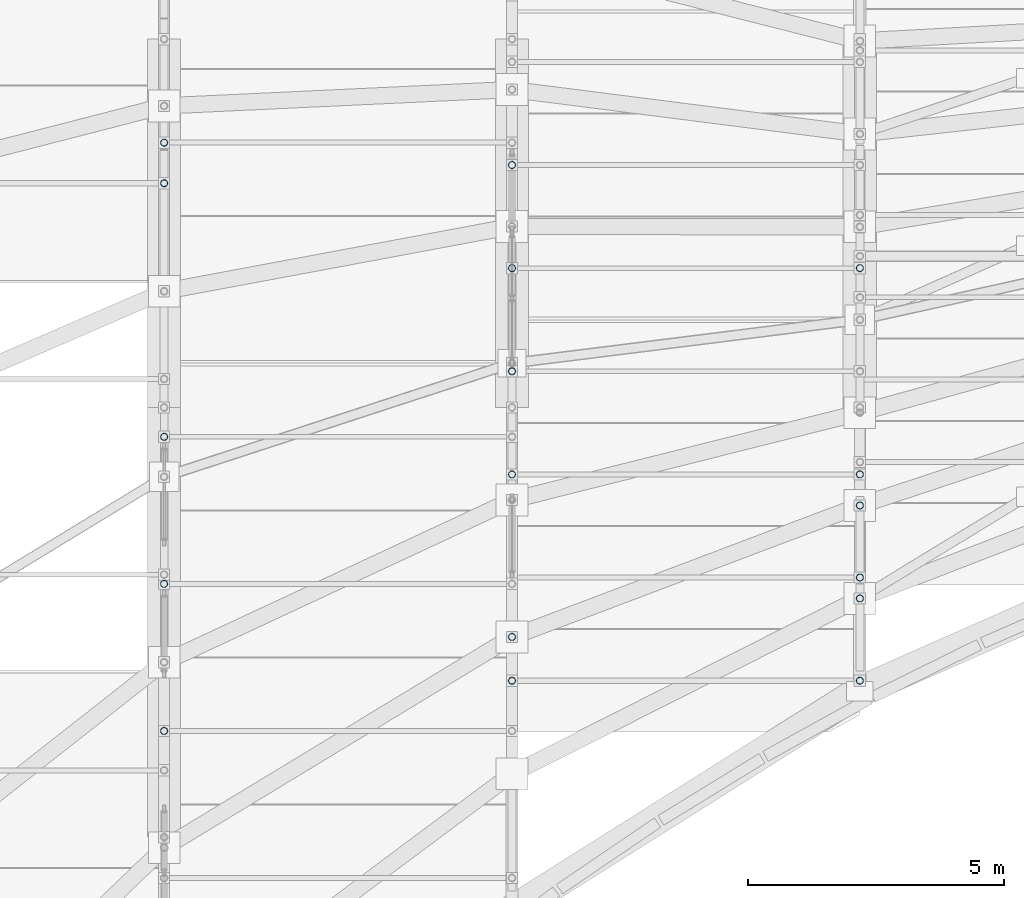
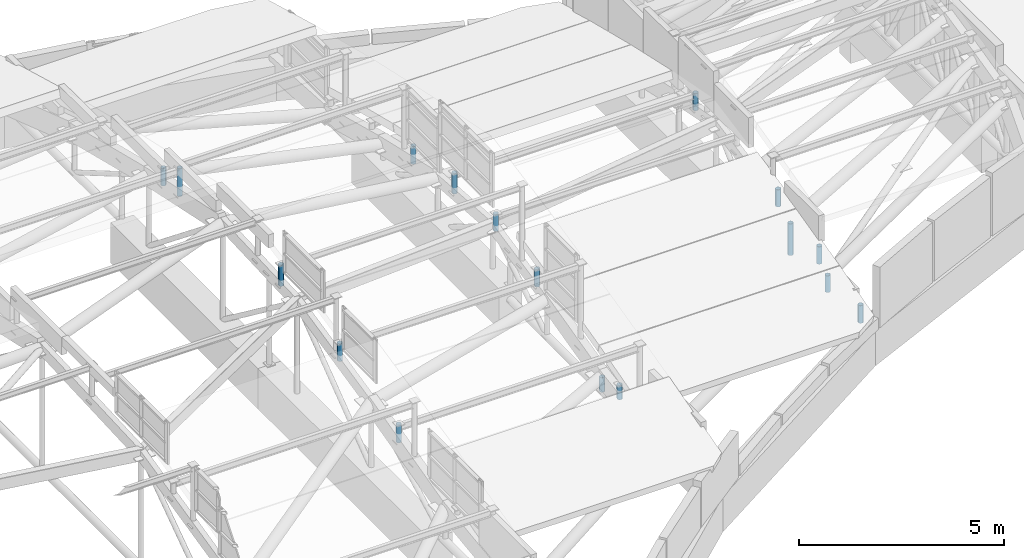
# One storey, part 149 of 188: 17 members.
"""IFC4 building model written with IfcOpenShell, lengths in metres."""

import ifcopenshell
import ifcopenshell.guid

model = None  # the IFC model being written
_history = None  # IfcOwnerHistory: only IFC2X3 demands one
_inside = {}  # id of a spatial element -> (the spatial element, [elements in it])
_under = {}  # id of a project, library or spatial element -> (it, [spatial elements below it])
_declared = {}  # id of a project -> (the project, [libraries it declares])
_typed = {}  # id of a type object -> (the type object, [elements of that type])
_made_of = {}  # id of a material, layer set ... -> (it, [elements and type objects made of it])


def new_model(schema):
    """Start an empty IFC model of exactly this schema.

    Asked for "IFC4X3", IfcOpenShell would pick the latest addendum, in which some entities
    have other attributes; the version numbers below select the first issue.
    IFC2X3 requires an IfcOwnerHistory on every rooted entity: one is made here for all.
    """
    global model, _history
    if schema == "IFC4X3":
        model = ifcopenshell.file(schema_version=(4, 3, 0, 0))
    else:
        model = ifcopenshell.file(schema=schema)
    _inside.clear()
    _under.clear()
    _declared.clear()
    _typed.clear()
    _made_of.clear()
    _history = None
    if model.schema == "IFC2X3":
        org = make("IfcOrganization", Name="unknown")
        user = make(
            "IfcPersonAndOrganization",
            ThePerson=make("IfcPerson", FamilyName="unknown"),
            TheOrganization=org,
        )
        app = make(
            "IfcApplication",
            ApplicationDeveloper=org,
            Version="unknown",
            ApplicationFullName="unknown",
            ApplicationIdentifier="unknown",
        )
        _history = make(
            "IfcOwnerHistory",
            OwningUser=user,
            OwningApplication=app,
            ChangeAction="ADDED",
            CreationDate=0,
        )
    return model


def make(cls, **values):
    """One entity of the class cls with the attributes given. An attribute that is None is left unset."""
    return model.create_entity(
        cls, **{name: value for name, value in values.items() if value is not None}
    )


def rooted(cls, **values):
    """An entity with a GlobalId (a new one), such as an element, a storey or a relation."""
    return make(cls, GlobalId=ifcopenshell.guid.new(), OwnerHistory=_history, **values)


def si_unit(unit_type, name, prefix=None):
    """IfcSIUnit, for example si_unit("LENGTHUNIT", "METRE", prefix="MILLI")."""
    return make("IfcSIUnit", UnitType=unit_type, Prefix=prefix, Name=name)


def assignment(units):
    """IfcUnitAssignment: the units of a project."""
    return None if units is None else make("IfcUnitAssignment", Units=units)


def point(xyz):
    """IfcCartesianPoint."""
    return None if xyz is None else make("IfcCartesianPoint", Coordinates=xyz)


def direction(xyz):
    """IfcDirection."""
    return None if xyz is None else make("IfcDirection", DirectionRatios=xyz)


def frame(location, z_axis=None, x_axis=None):
    """IfcAxis2Placement3D, a coordinate frame: its origin and axes. An axis left out is left unset."""
    return make(
        "IfcAxis2Placement3D",
        Location=point(location),
        Axis=direction(z_axis),
        RefDirection=direction(x_axis),
    )


def frame_2d(location, x_axis=None):
    """IfcAxis2Placement2D, a coordinate frame in the plane: its origin and x axis."""
    return make(
        "IfcAxis2Placement2D", Location=point(location), RefDirection=direction(x_axis)
    )


def origin():
    """The frame at (0, 0, 0) with its axes left unset."""
    return frame((0.0, 0.0, 0.0))


def origin_2d():
    """The frame at (0, 0) in the plane with its x axis left unset."""
    return frame_2d((0.0, 0.0))


def place(relative_to, where):
    """IfcLocalPlacement: puts the frame where relative to a parent placement (None: the world)."""
    return make(
        "IfcLocalPlacement", PlacementRelTo=relative_to, RelativePlacement=where
    )


def context(
    kind, dimensions, precision=None, world=None, true_north=None, identifier=None
):
    """IfcGeometricRepresentationContext, for example the 3D "Model" context."""
    return make(
        "IfcGeometricRepresentationContext",
        ContextIdentifier=identifier,
        ContextType=kind,
        CoordinateSpaceDimension=dimensions,
        Precision=precision,
        WorldCoordinateSystem=world,
        TrueNorth=true_north,
    )


def subcontext(parent, identifier, kind, view, scale=None):
    """IfcGeometricRepresentationSubContext, for example "Body" below "Model"."""
    return make(
        "IfcGeometricRepresentationSubContext",
        ContextIdentifier=identifier,
        ContextType=kind,
        ParentContext=parent,
        TargetScale=scale,
        TargetView=view,
    )


def project(units=None, contexts=None):
    """IfcProject with its units and contexts."""
    return rooted(
        "IfcProject",
        Name="project",
        RepresentationContexts=contexts,
        UnitsInContext=assignment(units),
    )


def spatial(cls, under=None, at=None, **own):
    """A site, building, storey or space (cls), placed at a placement, below another one or the project."""
    s = rooted(cls, ObjectPlacement=at, **own)
    if under is not None:
        _under.setdefault(under.id(), (under, []))[1].append(s)
    return s


def profile(cls, at=None, kind="AREA", **sizes):
    """A parametric profile (cls). Its sizes go by their IFC names, for example OverallWidth=200.0."""
    return make(cls, ProfileType=kind, Position=at, **sizes)


def hollow_circle(**sizes):
    """IfcCircleHollowProfileDef."""
    return profile("IfcCircleHollowProfileDef", **sizes)


def extrude(swept, where, along, depth):
    """IfcExtrudedAreaSolid: the profile swept, set in the frame where, extruded along a direction by depth."""
    return make(
        "IfcExtrudedAreaSolid",
        SweptArea=swept,
        Position=where,
        ExtrudedDirection=direction(along),
        Depth=depth,
    )


def shape(context_of_items, identifier, shape_type, items):
    """IfcShapeRepresentation: the items that make up one representation, for example the "Body"."""
    return make(
        "IfcShapeRepresentation",
        ContextOfItems=context_of_items,
        RepresentationIdentifier=identifier,
        RepresentationType=shape_type,
        Items=items,
    )


def material(Name=None, Category=None):
    """IfcMaterial."""
    return make("IfcMaterial", Name=Name, Category=Category)


def material_profile(
    of_material, cross_section, Name=None, Category=None, Priority=None
):
    """IfcMaterialProfile: a cross section and its material."""
    return make(
        "IfcMaterialProfile",
        Name=Name,
        Material=of_material,
        Profile=cross_section,
        Priority=Priority,
        Category=Category,
    )


def profile_set(profiles, Name=None, composite=None):
    """IfcMaterialProfileSet."""
    return make(
        "IfcMaterialProfileSet",
        Name=Name,
        MaterialProfiles=profiles,
        CompositeProfile=composite,
    )


def made_of(thing, what):
    """Note that an element or type object is made of a material, layer set ...; save() writes the relation."""
    if what is not None:
        _made_of.setdefault(what.id(), (what, []))[1].append(thing)
    return thing


def type_object(cls, material=None, **own):
    """A type object (cls), such as IfcWallType, which elements share."""
    return made_of(rooted(cls, **own), material)


def element(
    cls,
    number,
    at=None,
    inside=None,
    cuts=None,
    type_object=None,
    material=None,
    context=None,
    identifier="Body",
    shape_type=None,
    held_by="IfcProductDefinitionShape",
    body=None,
    shapes=None,
    **own,
):
    """One element of the class cls, such as IfcWall. Its Tag is "e" and its number.

    at: its placement. inside: the storey or other place that contains it. cuts: it is an
    opening in that element (IfcRelVoidsElement). A single representation is given by context,
    identifier, shape_type and body (its items); several are given by shapes. held_by: the class
    of the entity that holds the representations. save() writes the other relations.
    """
    e = rooted(cls, Tag="e%d" % number, ObjectPlacement=at, **own)
    if body is not None:
        shapes = [shape(context, identifier, shape_type, body)]
    if shapes is not None:
        e.Representation = make(held_by, Representations=shapes)
    if inside is not None:
        _inside.setdefault(inside.id(), (inside, []))[1].append(e)
    if cuts is not None:
        rooted(
            "IfcRelVoidsElement", RelatingBuildingElement=cuts, RelatedOpeningElement=e
        )
    if type_object is not None:
        _typed.setdefault(type_object.id(), (type_object, []))[1].append(e)
    return made_of(e, material)


def aggregate(whole, parts):
    """IfcRelAggregates: a whole, such as a stair, and the parts it consists of."""
    return rooted("IfcRelAggregates", RelatingObject=whole, RelatedObjects=parts)


def save(model, path):
    """Write the relations noted so far, then the file.

    IfcRelAggregates (storeys below a building ...), IfcRelContainedInSpatialStructure (elements
    in a storey), IfcRelDefinesByType, IfcRelAssociatesMaterial and IfcRelDeclares: one each for
    every whole, place, type object, material and project.
    """
    for whole, parts in _under.values():
        aggregate(whole, parts)
    for where, things in _inside.values():
        rooted(
            "IfcRelContainedInSpatialStructure",
            RelatedElements=things,
            RelatingStructure=where,
        )
    for kind, things in _typed.values():
        rooted("IfcRelDefinesByType", RelatedObjects=things, RelatingType=kind)
    for what, things in _made_of.values():
        rooted("IfcRelAssociatesMaterial", RelatedObjects=things, RelatingMaterial=what)
    for by, libraries in _declared.values():
        rooted("IfcRelDeclares", RelatingContext=by, RelatedDefinitions=libraries)
    model.write(path)


model = new_model("IFC4")

# Units and contexts
model_context = context("Model", 3, precision=1e-05, world=origin(), true_north=direction((0.0, 1.0)))
body_context = subcontext(model_context, "Body", "Model", "MODEL_VIEW")
ifc_project = project(units=[si_unit("LENGTHUNIT", "METRE"), si_unit("AREAUNIT", "SQUARE_METRE"), si_unit("VOLUMEUNIT", "CUBIC_METRE"), si_unit("PLANEANGLEUNIT", "RADIAN"), si_unit("MASSUNIT", "GRAM", prefix="KILO")], contexts=[model_context])

# Site, building, storey
site_placement = place(None, origin())
site = spatial("IfcSite", under=ifc_project, at=site_placement, CompositionType="ELEMENT")
building_placement = place(site_placement, origin())
building = spatial("IfcBuilding", under=site, at=building_placement, Name="Kisaragi Civic Commons", CompositionType="ELEMENT")
storey_placement = place(building_placement, frame((0.0, 0.0, 9.60009765625)))
storey = spatial("IfcBuildingStorey", under=building, at=storey_placement, Name="L02", CompositionType="ELEMENT", Elevation=9.60009765625)

# Members
ifc_material = material(Name="Steel SN490 (SN490B)", Category="steel")
ifc_material_profile = material_profile(ifc_material, hollow_circle(Radius=0.06982421875, WallThickness=0.006103515625, at=origin_2d()), Name="CHS-139.8x6.0", Category="steel")
ifc_profile_set = profile_set([ifc_material_profile], Name="Steel SN490 (SN490B)")
member_type = type_object("IfcMemberType", Name="ST-H1", PredefinedType="STRUT", material=ifc_profile_set)
member_1_placement = place(storey_placement, frame((40.800048828125, 99.914794921875, -0.48193359375), z_axis=(0.0, 0.0, 1.0), x_axis=(1.0, 0.0, 0.0)))
element("IfcMember", 1, at=member_1_placement, inside=storey, type_object=member_type, Name="V2 arch tie hanger strut 89", PredefinedType="STRUT", context=body_context, shape_type="SweptSolid", body=[
    extrude(hollow_circle(Radius=0.06982421875, WallThickness=0.006103515625, at=origin_2d()), origin(), (0.0, 0.0, 1.0), 0.43359375),
])
member_2_placement = place(storey_placement, frame((47.60009765625, 100.66748046875, -0.34326171875), z_axis=(0.0, 0.0, 1.0), x_axis=(1.0, 0.0, 0.0)))
element("IfcMember", 2, at=member_2_placement, inside=storey, type_object=member_type, Name="V2 arch tie hanger strut 99", PredefinedType="STRUT", context=body_context, shape_type="SweptSolid", body=[
    extrude(hollow_circle(Radius=0.06982421875, WallThickness=0.006103515625, at=origin_2d()), origin(), (0.0, 0.0, 1.0), 0.4951171875),
])
member_3_placement = place(storey_placement, frame((47.60009765625, 102.4833984375, -0.34326171875), z_axis=(0.0, 0.0, 1.0), x_axis=(1.0, 0.0, 0.0)))
element("IfcMember", 3, at=member_3_placement, inside=storey, type_object=member_type, Name="V2 arch tie hanger strut 100", PredefinedType="STRUT", context=body_context, shape_type="SweptSolid", body=[
    extrude(hollow_circle(Radius=0.06982421875, WallThickness=0.006103515625, at=origin_2d()), origin(), (0.0, 0.0, 1.0), 0.9453125),
])
member_4_placement = place(storey_placement, frame((34.0, 108.782958984375, 2.3623046875), z_axis=(0.0, 0.0, 1.0), x_axis=(1.0, 0.0, 0.0)))
element("IfcMember", 4, at=member_4_placement, inside=storey, type_object=member_type, Name="V2 clerestory monitor horizontal tie strut 5.5.6", PredefinedType="STRUT", context=body_context, shape_type="SweptSolid", body=[
    extrude(hollow_circle(Radius=0.06982421875, WallThickness=0.006103515625, at=origin_2d()), origin(), (0.0, 0.0, 1.0), 0.82763671875),
])
member_5_placement = place(storey_placement, frame((34.0, 98.077392578125, 1.502197265625), z_axis=(0.0, 0.0, 1.0), x_axis=(1.0, 0.0, 0.0)))
element("IfcMember", 5, at=member_5_placement, inside=storey, type_object=member_type, Name="V2 clerestory monitor horizontal tie strut 6.5.2", PredefinedType="STRUT", context=body_context, shape_type="SweptSolid", body=[
    extrude(hollow_circle(Radius=0.06982421875, WallThickness=0.006103515625, at=origin_2d()), origin(), (0.0, 0.0, 1.0), 0.531005859375),
])
member_6_placement = place(storey_placement, frame((34.0, 100.9521484375, 2.189208984375), z_axis=(0.0, 0.0, 1.0), x_axis=(1.0, 0.0, 0.0)))
element("IfcMember", 6, at=member_6_placement, inside=storey, type_object=member_type, Name="V2 clerestory monitor horizontal tie strut 6.5.3", PredefinedType="STRUT", context=body_context, shape_type="SweptSolid", body=[
    extrude(hollow_circle(Radius=0.06982421875, WallThickness=0.006103515625, at=origin_2d()), origin(), (0.0, 0.0, 1.0), 0.52392578125),
])
member_7_placement = place(storey_placement, frame((34.0, 103.8271484375, 2.68798828125), z_axis=(0.0, 0.0, 1.0), x_axis=(1.0, 0.0, 0.0)))
element("IfcMember", 7, at=member_7_placement, inside=storey, type_object=member_type, Name="V2 clerestory monitor horizontal tie strut 6.5.4", PredefinedType="STRUT", context=body_context, shape_type="SweptSolid", body=[
    extrude(hollow_circle(Radius=0.06982421875, WallThickness=0.006103515625, at=origin_2d()), origin(), (0.0, 0.0, 1.0), 0.626953125),
])
member_8_placement = place(storey_placement, frame((34.0, 109.576904296875, 2.193115234375), z_axis=(0.0, 0.0, 1.0), x_axis=(1.0, 0.0, 0.0)))
element("IfcMember", 8, at=member_8_placement, inside=storey, type_object=member_type, Name="V2 clerestory monitor horizontal tie strut 6.5.6", PredefinedType="STRUT", context=body_context, shape_type="SweptSolid", body=[
    extrude(hollow_circle(Radius=0.06982421875, WallThickness=0.006103515625, at=origin_2d()), origin(), (0.0, 0.0, 1.0), 0.52001953125),
])
member_9_placement = place(storey_placement, frame((40.800048828125, 99.059326171875, -0.18701171875), z_axis=(0.0, 0.0, 1.0), x_axis=(1.0, 0.0, 0.0)))
element("IfcMember", 9, at=member_9_placement, inside=storey, type_object=member_type, Name="V2 clerestory monitor horizontal tie strut 7.6.1", PredefinedType="STRUT", context=body_context, shape_type="SweptSolid", body=[
    extrude(hollow_circle(Radius=0.06982421875, WallThickness=0.006103515625, at=origin_2d()), origin(), (0.0, 0.0, 1.0), 0.42578125),
])
member_10_placement = place(storey_placement, frame((47.60009765625, 99.059326171875, -0.28662109375), z_axis=(0.0, 0.0, 1.0), x_axis=(1.0, 0.0, 0.0)))
element("IfcMember", 10, at=member_10_placement, inside=storey, type_object=member_type, Name="V2 clerestory monitor horizontal tie strut 7.7.1", PredefinedType="STRUT", context=body_context, shape_type="SweptSolid", body=[
    extrude(hollow_circle(Radius=0.06982421875, WallThickness=0.006103515625, at=origin_2d()), origin(), (0.0, 0.0, 1.0), 0.525390625),
])
member_11_placement = place(storey_placement, frame((47.60009765625, 101.075439453125, 0.2529296875), z_axis=(0.0, 0.0, 1.0), x_axis=(1.0, 0.0, 0.0)))
element("IfcMember", 11, at=member_11_placement, inside=storey, type_object=member_type, Name="V2 clerestory monitor horizontal tie strut 7.7.2", PredefinedType="STRUT", context=body_context, shape_type="SweptSolid", body=[
    extrude(hollow_circle(Radius=0.06982421875, WallThickness=0.006103515625, at=origin_2d()), origin(), (0.0, 0.0, 1.0), 0.519775390625),
])
member_12_placement = place(storey_placement, frame((40.800048828125, 103.091552734375, 0.732421875), z_axis=(0.0, 0.0, 1.0), x_axis=(1.0, 0.0, 0.0)))
element("IfcMember", 12, at=member_12_placement, inside=storey, type_object=member_type, Name="V2 clerestory monitor horizontal tie strut 7.6.3", PredefinedType="STRUT", context=body_context, shape_type="SweptSolid", body=[
    extrude(hollow_circle(Radius=0.06982421875, WallThickness=0.006103515625, at=origin_2d()), origin(), (0.0, 0.0, 1.0), 0.51806640625),
])
member_13_placement = place(storey_placement, frame((47.60009765625, 103.091552734375, 0.73681640625), z_axis=(0.0, 0.0, 1.0), x_axis=(1.0, 0.0, 0.0)))
element("IfcMember", 13, at=member_13_placement, inside=storey, type_object=member_type, Name="V2 clerestory monitor horizontal tie strut 7.7.3", PredefinedType="STRUT", context=body_context, shape_type="SweptSolid", body=[
    extrude(hollow_circle(Radius=0.06982421875, WallThickness=0.006103515625, at=origin_2d()), origin(), (0.0, 0.0, 1.0), 0.513671875),
])
member_14_placement = place(storey_placement, frame((40.800048828125, 105.107666015625, 1.16162109375), z_axis=(0.0, 0.0, 1.0), x_axis=(1.0, 0.0, 0.0)))
element("IfcMember", 14, at=member_14_placement, inside=storey, type_object=member_type, Name="V2 clerestory monitor horizontal tie strut 7.6.4", PredefinedType="STRUT", context=body_context, shape_type="SweptSolid", body=[
    extrude(hollow_circle(Radius=0.06982421875, WallThickness=0.006103515625, at=origin_2d()), origin(), (0.0, 0.0, 1.0), 0.511962890625),
])
member_15_placement = place(storey_placement, frame((40.800048828125, 107.123779296875, 1.0615234375), z_axis=(0.0, 0.0, 1.0), x_axis=(1.0, 0.0, 0.0)))
element("IfcMember", 15, at=member_15_placement, inside=storey, type_object=member_type, Name="V2 clerestory monitor horizontal tie strut 7.6.5", PredefinedType="STRUT", context=body_context, shape_type="SweptSolid", body=[
    extrude(hollow_circle(Radius=0.06982421875, WallThickness=0.006103515625, at=origin_2d()), origin(), (0.0, 0.0, 1.0), 0.612060546875),
])
member_16_placement = place(storey_placement, frame((47.60009765625, 107.123779296875, 1.162841796875), z_axis=(0.0, 0.0, 1.0), x_axis=(1.0, 0.0, 0.0)))
element("IfcMember", 16, at=member_16_placement, inside=storey, type_object=member_type, Name="V2 clerestory monitor horizontal tie strut 7.7.5", PredefinedType="STRUT", context=body_context, shape_type="SweptSolid", body=[
    extrude(hollow_circle(Radius=0.06982421875, WallThickness=0.006103515625, at=origin_2d()), origin(), (0.0, 0.0, 1.0), 0.5107421875),
])
member_17_placement = place(storey_placement, frame((40.800048828125, 109.1396484375, 0.727294921875), z_axis=(0.0, 0.0, 1.0), x_axis=(1.0, 0.0, 0.0)))
element("IfcMember", 17, at=member_17_placement, inside=storey, type_object=member_type, Name="V2 clerestory monitor horizontal tie strut 7.6.6", PredefinedType="STRUT", context=body_context, shape_type="SweptSolid", body=[
    extrude(hollow_circle(Radius=0.06982421875, WallThickness=0.006103515625, at=origin_2d()), origin(), (0.0, 0.0, 1.0), 0.523193359375),
])

save(model, "model.ifc")
